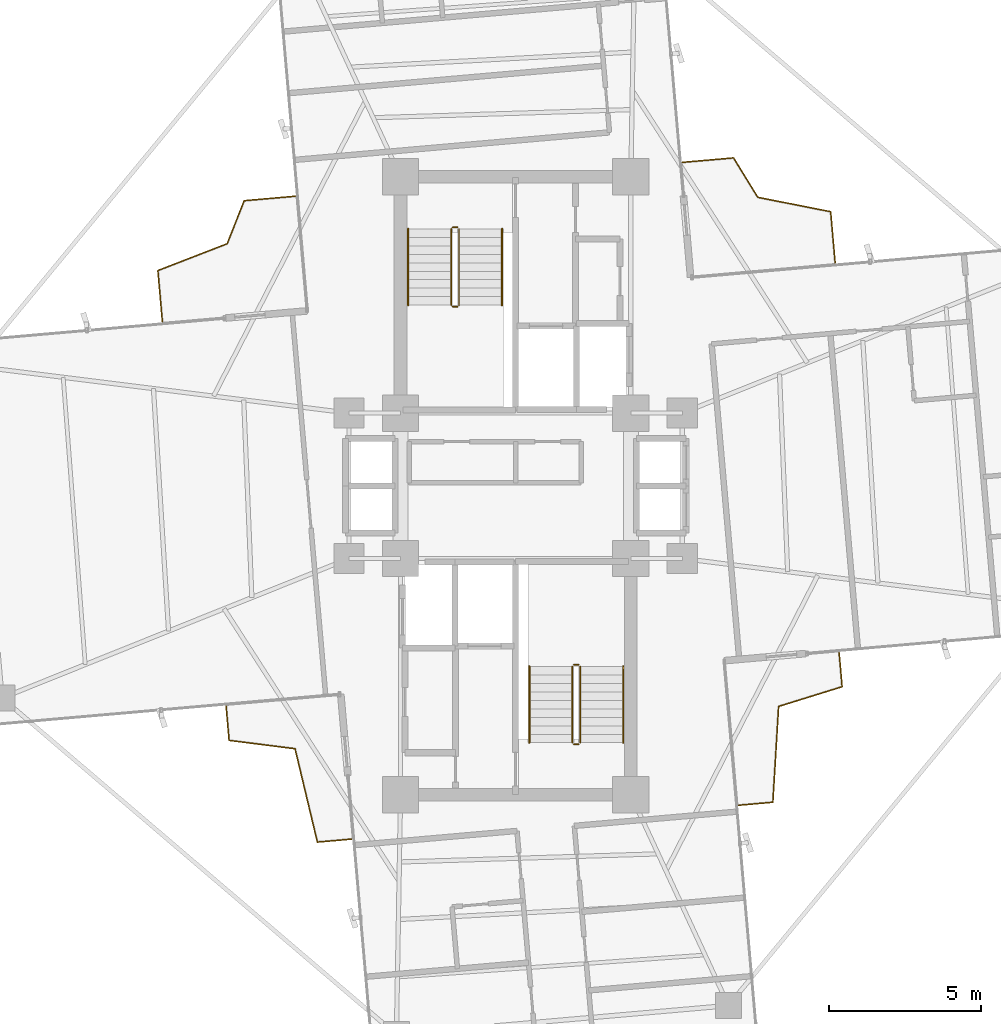
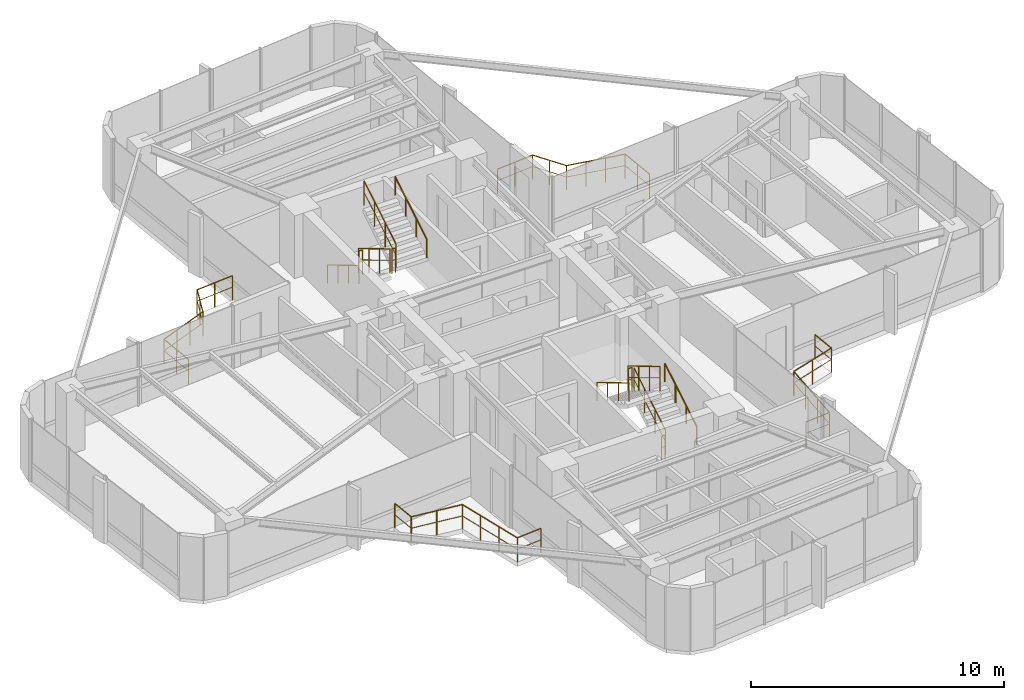
# One storey, part 24 of 24: 16 railings.
"""IFC4 building model written with IfcOpenShell, lengths in metres."""

import ifcopenshell
import ifcopenshell.guid

model = None  # the IFC model being written
_history = None  # IfcOwnerHistory: only IFC2X3 demands one
_inside = {}  # id of a spatial element -> (the spatial element, [elements in it])
_under = {}  # id of a project, library or spatial element -> (it, [spatial elements below it])
_declared = {}  # id of a project -> (the project, [libraries it declares])
_typed = {}  # id of a type object -> (the type object, [elements of that type])
_made_of = {}  # id of a material, layer set ... -> (it, [elements and type objects made of it])


def new_model(schema):
    """Start an empty IFC model of exactly this schema.

    Asked for "IFC4X3", IfcOpenShell would pick the latest addendum, in which some entities
    have other attributes; the version numbers below select the first issue.
    IFC2X3 requires an IfcOwnerHistory on every rooted entity: one is made here for all.
    """
    global model, _history
    if schema == "IFC4X3":
        model = ifcopenshell.file(schema_version=(4, 3, 0, 0))
    else:
        model = ifcopenshell.file(schema=schema)
    _inside.clear()
    _under.clear()
    _declared.clear()
    _typed.clear()
    _made_of.clear()
    _history = None
    if model.schema == "IFC2X3":
        org = make("IfcOrganization", Name="unknown")
        user = make(
            "IfcPersonAndOrganization",
            ThePerson=make("IfcPerson", FamilyName="unknown"),
            TheOrganization=org,
        )
        app = make(
            "IfcApplication",
            ApplicationDeveloper=org,
            Version="unknown",
            ApplicationFullName="unknown",
            ApplicationIdentifier="unknown",
        )
        _history = make(
            "IfcOwnerHistory",
            OwningUser=user,
            OwningApplication=app,
            ChangeAction="ADDED",
            CreationDate=0,
        )
    return model


def make(cls, **values):
    """One entity of the class cls with the attributes given. An attribute that is None is left unset."""
    return model.create_entity(
        cls, **{name: value for name, value in values.items() if value is not None}
    )


def rooted(cls, **values):
    """An entity with a GlobalId (a new one), such as an element, a storey or a relation."""
    return make(cls, GlobalId=ifcopenshell.guid.new(), OwnerHistory=_history, **values)


def si_unit(unit_type, name, prefix=None):
    """IfcSIUnit, for example si_unit("LENGTHUNIT", "METRE", prefix="MILLI")."""
    return make("IfcSIUnit", UnitType=unit_type, Prefix=prefix, Name=name)


def assignment(units):
    """IfcUnitAssignment: the units of a project."""
    return None if units is None else make("IfcUnitAssignment", Units=units)


def point(xyz):
    """IfcCartesianPoint."""
    return None if xyz is None else make("IfcCartesianPoint", Coordinates=xyz)


def direction(xyz):
    """IfcDirection."""
    return None if xyz is None else make("IfcDirection", DirectionRatios=xyz)


def frame(location, z_axis=None, x_axis=None):
    """IfcAxis2Placement3D, a coordinate frame: its origin and axes. An axis left out is left unset."""
    return make(
        "IfcAxis2Placement3D",
        Location=point(location),
        Axis=direction(z_axis),
        RefDirection=direction(x_axis),
    )


def frame_2d(location, x_axis=None):
    """IfcAxis2Placement2D, a coordinate frame in the plane: its origin and x axis."""
    return make(
        "IfcAxis2Placement2D", Location=point(location), RefDirection=direction(x_axis)
    )


def origin():
    """The frame at (0, 0, 0) with its axes left unset."""
    return frame((0.0, 0.0, 0.0))


def origin_2d():
    """The frame at (0, 0) in the plane with its x axis left unset."""
    return frame_2d((0.0, 0.0))


def place(relative_to, where):
    """IfcLocalPlacement: puts the frame where relative to a parent placement (None: the world)."""
    return make(
        "IfcLocalPlacement", PlacementRelTo=relative_to, RelativePlacement=where
    )


def context(
    kind, dimensions, precision=None, world=None, true_north=None, identifier=None
):
    """IfcGeometricRepresentationContext, for example the 3D "Model" context."""
    return make(
        "IfcGeometricRepresentationContext",
        ContextIdentifier=identifier,
        ContextType=kind,
        CoordinateSpaceDimension=dimensions,
        Precision=precision,
        WorldCoordinateSystem=world,
        TrueNorth=true_north,
    )


def subcontext(parent, identifier, kind, view, scale=None):
    """IfcGeometricRepresentationSubContext, for example "Body" below "Model"."""
    return make(
        "IfcGeometricRepresentationSubContext",
        ContextIdentifier=identifier,
        ContextType=kind,
        ParentContext=parent,
        TargetScale=scale,
        TargetView=view,
    )


def project(units=None, contexts=None):
    """IfcProject with its units and contexts."""
    return rooted(
        "IfcProject",
        Name="project",
        RepresentationContexts=contexts,
        UnitsInContext=assignment(units),
    )


def spatial(cls, under=None, at=None, **own):
    """A site, building, storey or space (cls), placed at a placement, below another one or the project."""
    s = rooted(cls, ObjectPlacement=at, **own)
    if under is not None:
        _under.setdefault(under.id(), (under, []))[1].append(s)
    return s


def profile(cls, at=None, kind="AREA", **sizes):
    """A parametric profile (cls). Its sizes go by their IFC names, for example OverallWidth=200.0."""
    return make(cls, ProfileType=kind, Position=at, **sizes)


def circle(**sizes):
    """IfcCircleProfileDef."""
    return profile("IfcCircleProfileDef", **sizes)


def extrude(swept, where, along, depth):
    """IfcExtrudedAreaSolid: the profile swept, set in the frame where, extruded along a direction by depth."""
    return make(
        "IfcExtrudedAreaSolid",
        SweptArea=swept,
        Position=where,
        ExtrudedDirection=direction(along),
        Depth=depth,
    )


def shape(context_of_items, identifier, shape_type, items):
    """IfcShapeRepresentation: the items that make up one representation, for example the "Body"."""
    return make(
        "IfcShapeRepresentation",
        ContextOfItems=context_of_items,
        RepresentationIdentifier=identifier,
        RepresentationType=shape_type,
        Items=items,
    )


def material(Name=None, Category=None):
    """IfcMaterial."""
    return make("IfcMaterial", Name=Name, Category=Category)


def made_of(thing, what):
    """Note that an element or type object is made of a material, layer set ...; save() writes the relation."""
    if what is not None:
        _made_of.setdefault(what.id(), (what, []))[1].append(thing)
    return thing


def type_object(cls, material=None, **own):
    """A type object (cls), such as IfcWallType, which elements share."""
    return made_of(rooted(cls, **own), material)


def element(
    cls,
    number,
    at=None,
    inside=None,
    cuts=None,
    type_object=None,
    material=None,
    context=None,
    identifier="Body",
    shape_type=None,
    held_by="IfcProductDefinitionShape",
    body=None,
    shapes=None,
    **own,
):
    """One element of the class cls, such as IfcWall. Its Tag is "e" and its number.

    at: its placement. inside: the storey or other place that contains it. cuts: it is an
    opening in that element (IfcRelVoidsElement). A single representation is given by context,
    identifier, shape_type and body (its items); several are given by shapes. held_by: the class
    of the entity that holds the representations. save() writes the other relations.
    """
    e = rooted(cls, Tag="e%d" % number, ObjectPlacement=at, **own)
    if body is not None:
        shapes = [shape(context, identifier, shape_type, body)]
    if shapes is not None:
        e.Representation = make(held_by, Representations=shapes)
    if inside is not None:
        _inside.setdefault(inside.id(), (inside, []))[1].append(e)
    if cuts is not None:
        rooted(
            "IfcRelVoidsElement", RelatingBuildingElement=cuts, RelatedOpeningElement=e
        )
    if type_object is not None:
        _typed.setdefault(type_object.id(), (type_object, []))[1].append(e)
    return made_of(e, material)


def aggregate(whole, parts):
    """IfcRelAggregates: a whole, such as a stair, and the parts it consists of."""
    return rooted("IfcRelAggregates", RelatingObject=whole, RelatedObjects=parts)


def save(model, path):
    """Write the relations noted so far, then the file.

    IfcRelAggregates (storeys below a building ...), IfcRelContainedInSpatialStructure (elements
    in a storey), IfcRelDefinesByType, IfcRelAssociatesMaterial and IfcRelDeclares: one each for
    every whole, place, type object, material and project.
    """
    for whole, parts in _under.values():
        aggregate(whole, parts)
    for where, things in _inside.values():
        rooted(
            "IfcRelContainedInSpatialStructure",
            RelatedElements=things,
            RelatingStructure=where,
        )
    for kind, things in _typed.values():
        rooted("IfcRelDefinesByType", RelatedObjects=things, RelatingType=kind)
    for what, things in _made_of.values():
        rooted("IfcRelAssociatesMaterial", RelatedObjects=things, RelatingMaterial=what)
    for by, libraries in _declared.values():
        rooted("IfcRelDeclares", RelatingContext=by, RelatedDefinitions=libraries)
    model.write(path)


model = new_model("IFC4")

# Units and contexts
model_context = context("Model", 3, precision=1e-05, world=origin(), true_north=direction((0.0, 1.0)))
body_context = subcontext(model_context, "Body", "Model", "MODEL_VIEW")
ifc_project = project(units=[si_unit("LENGTHUNIT", "METRE"), si_unit("AREAUNIT", "SQUARE_METRE"), si_unit("VOLUMEUNIT", "CUBIC_METRE"), si_unit("PLANEANGLEUNIT", "RADIAN"), si_unit("MASSUNIT", "GRAM", prefix="KILO")], contexts=[model_context])

# Site, building, storey
site_placement = place(None, origin())
site = spatial("IfcSite", under=ifc_project, at=site_placement, CompositionType="ELEMENT")
building_placement = place(site_placement, origin())
building = spatial("IfcBuilding", under=site, at=building_placement, Name="Sahyath Konkavel Grand Hotel", CompositionType="ELEMENT")
storey_placement = place(building_placement, frame((0.0, 0.0, 198.64990234375)))
storey = spatial("IfcBuildingStorey", under=building, at=storey_placement, Name="L55", CompositionType="ELEMENT", Elevation=198.64990234375)

# Railings
ifc_material_1 = material(Name="Anodised Bronze Aluminium", Category="aluminium")
railing_type_1 = type_object("IfcRailingType", Name="RLG-BALC-1200", PredefinedType="GUARDRAIL", material=ifc_material_1)
railing_1_placement = place(storey_placement, frame((10.5439453125, 7.35693359375, 0.0)))
element("IfcRailing", 1, at=railing_1_placement, inside=storey, type_object=railing_type_1, Name="L55 Winter-Garden Guard NE", PredefinedType="GUARDRAIL", context=body_context, shape_type="SweptSolid", body=[
    extrude(circle(Radius=0.02392578125, at=origin_2d()), frame((-0.000244140625, 0.001953125, 1.17578125), z_axis=(-0.087225873047, 0.996188559998, 0.0), x_axis=(-0.996188559998, -0.087225873047, 0.0)), (0.0, 0.0, 1.0), 1.692138671875),
    extrude(circle(Radius=0.01416015625, at=origin_2d()), frame((-0.000244140625, 0.001953125, 0.6240234375), z_axis=(-0.087225873047, 0.996188559998, 0.0), x_axis=(-0.996188559998, -0.087225873047, 0.0)), (0.0, 0.0, 1.0), 1.692138671875),
    extrude(circle(Radius=0.02392578125, at=origin_2d()), frame((-0.14990234375, 1.690185546875, 1.17578125), z_axis=(-0.981082734846, 0.193588913389, 0.0), x_axis=(-0.193588913389, -0.981082734846, 0.0)), (0.0, 0.0, 1.0), 2.448974609375),
    extrude(circle(Radius=0.01416015625, at=origin_2d()), frame((-0.14990234375, 1.690185546875, 0.6240234375), z_axis=(-0.981082734846, 0.193588913389, 0.0), x_axis=(-0.193588913389, -0.981082734846, 0.0)), (0.0, 0.0, 1.0), 2.448974609375),
    extrude(circle(Radius=0.02392578125, at=origin_2d()), frame((-2.555419921875, 2.166259765625, 1.17578125), z_axis=(-0.523401524615, 0.852086171716, 0.0), x_axis=(-0.852086171716, -0.523401524615, 0.0)), (0.0, 0.0, 1.0), 1.523193359375),
    extrude(circle(Radius=0.01416015625, at=origin_2d()), frame((-2.555419921875, 2.166259765625, 0.6240234375), z_axis=(-0.523401524615, 0.852086171716, 0.0), x_axis=(-0.852086171716, -0.523401524615, 0.0)), (0.0, 0.0, 1.0), 1.523193359375),
    extrude(circle(Radius=0.02392578125, at=origin_2d()), frame((-3.355712890625, 3.465576171875, 1.17578125), z_axis=(-0.996201057099, -0.087083028398, 0.0), x_axis=(0.087083028398, -0.996201057099, 0.0)), (0.0, 0.0, 1.0), 1.692138671875),
    extrude(circle(Radius=0.01416015625, at=origin_2d()), frame((-3.355712890625, 3.465576171875, 0.6240234375), z_axis=(-0.996201057099, -0.087083028398, 0.0), x_axis=(0.087083028398, -0.996201057099, 0.0)), (0.0, 0.0, 1.0), 1.692138671875),
    extrude(circle(Radius=0.02099609375, at=origin_2d()), origin(), (0.0, 0.0, 1.0), 1.15185546875),
    extrude(circle(Radius=0.02099609375, at=origin_2d()), frame((-0.073974609375, 0.8447265625, 0.0)), (0.0, 0.0, 1.0), 1.15185546875),
    extrude(circle(Radius=0.02099609375, at=origin_2d()), frame((-0.14794921875, 1.689697265625, 0.0)), (0.0, 0.0, 1.0), 1.15185546875),
    extrude(circle(Radius=0.02099609375, at=origin_2d()), frame((-0.9501953125, 1.847900390625, 0.0)), (0.0, 0.0, 1.0), 1.15185546875),
    extrude(circle(Radius=0.02099609375, at=origin_2d()), frame((-1.752197265625, 2.00634765625, 0.0)), (0.0, 0.0, 1.0), 1.15185546875),
    extrude(circle(Radius=0.02099609375, at=origin_2d()), frame((-2.554443359375, 2.16455078125, 0.0)), (0.0, 0.0, 1.0), 1.15185546875),
    extrude(circle(Radius=0.02099609375, at=origin_2d()), frame((-2.9541015625, 2.815185546875, 0.0)), (0.0, 0.0, 1.0), 1.15185546875),
    extrude(circle(Radius=0.02099609375, at=origin_2d()), frame((-3.353759765625, 3.4658203125, 0.0)), (0.0, 0.0, 1.0), 1.15185546875),
    extrude(circle(Radius=0.02099609375, at=origin_2d()), frame((-4.19873046875, 3.39208984375, 0.0)), (0.0, 0.0, 1.0), 1.15185546875),
    extrude(circle(Radius=0.02099609375, at=origin_2d()), frame((-5.04345703125, 3.318115234375, 0.0)), (0.0, 0.0, 1.0), 1.15185546875),
])
railing_2_placement = place(storey_placement, frame((-7.270751953125, 9.5576171875, 0.0)))
element("IfcRailing", 2, at=railing_2_placement, inside=storey, type_object=railing_type_1, Name="L55 Winter-Garden Guard NW", PredefinedType="GUARDRAIL", context=body_context, shape_type="SweptSolid", body=[
    extrude(circle(Radius=0.02392578125, at=origin_2d()), frame((-0.001953125, -0.000244140625, 1.17578125), z_axis=(-0.99619996531, -0.087095517198, 0.0), x_axis=(0.087095517198, -0.99619996531, 0.0)), (0.0, 0.0, 1.0), 1.69189453125),
    extrude(circle(Radius=0.01416015625, at=origin_2d()), frame((-0.001953125, -0.000244140625, 0.6240234375), z_axis=(-0.99619996531, -0.087095517198, 0.0), x_axis=(0.087095517198, -0.99619996531, 0.0)), (0.0, 0.0, 1.0), 1.69189453125),
    extrude(circle(Radius=0.02392578125, at=origin_2d()), frame((-1.690185546875, -0.149658203125, 1.17578125), z_axis=(-0.367501349189, -0.930022988073, 0.0), x_axis=(0.930022988073, -0.367501349189, 0.0)), (0.0, 0.0, 1.0), 1.523193359375),
    extrude(circle(Radius=0.01416015625, at=origin_2d()), frame((-1.690185546875, -0.149658203125, 0.6240234375), z_axis=(-0.367501349189, -0.930022988073, 0.0), x_axis=(0.930022988073, -0.367501349189, 0.0)), (0.0, 0.0, 1.0), 1.523193359375),
    extrude(circle(Radius=0.02392578125, at=origin_2d()), frame((-2.252685546875, -1.56884765625, 1.17578125), z_axis=(-0.932571340757, -0.360985726033, 0.0), x_axis=(0.360985726033, -0.932571340757, 0.0)), (0.0, 0.0, 1.0), 2.448974609375),
    extrude(circle(Radius=0.01416015625, at=origin_2d()), frame((-2.252685546875, -1.56884765625, 0.6240234375), z_axis=(-0.932571340757, -0.360985726033, 0.0), x_axis=(0.360985726033, -0.932571340757, 0.0)), (0.0, 0.0, 1.0), 2.448974609375),
    extrude(circle(Radius=0.02392578125, at=origin_2d()), frame((-4.5380859375, -2.45556640625, 1.17578125), z_axis=(0.087225873047, -0.996188559998, 0.0), x_axis=(0.996188559998, 0.087225873047, 0.0)), (0.0, 0.0, 1.0), 1.692138671875),
    extrude(circle(Radius=0.01416015625, at=origin_2d()), frame((-4.5380859375, -2.45556640625, 0.6240234375), z_axis=(0.087225873047, -0.996188559998, 0.0), x_axis=(0.996188559998, 0.087225873047, 0.0)), (0.0, 0.0, 1.0), 1.692138671875),
    extrude(circle(Radius=0.02099609375, at=origin_2d()), origin(), (0.0, 0.0, 1.0), 1.15185546875),
    extrude(circle(Radius=0.02099609375, at=origin_2d()), frame((-0.8447265625, -0.07373046875, 0.0)), (0.0, 0.0, 1.0), 1.15185546875),
    extrude(circle(Radius=0.02099609375, at=origin_2d()), frame((-1.689453125, -0.147705078125, 0.0)), (0.0, 0.0, 1.0), 1.15185546875),
    extrude(circle(Radius=0.02099609375, at=origin_2d()), frame((-1.97021484375, -0.85791015625, 0.0)), (0.0, 0.0, 1.0), 1.15185546875),
    extrude(circle(Radius=0.02099609375, at=origin_2d()), frame((-2.250732421875, -1.568115234375, 0.0)), (0.0, 0.0, 1.0), 1.15185546875),
    extrude(circle(Radius=0.02099609375, at=origin_2d()), frame((-3.01318359375, -1.86328125, 0.0)), (0.0, 0.0, 1.0), 1.15185546875),
    extrude(circle(Radius=0.02099609375, at=origin_2d()), frame((-3.77587890625, -2.158447265625, 0.0)), (0.0, 0.0, 1.0), 1.15185546875),
    extrude(circle(Radius=0.02099609375, at=origin_2d()), frame((-4.538330078125, -2.45361328125, 0.0)), (0.0, 0.0, 1.0), 1.15185546875),
    extrude(circle(Radius=0.02099609375, at=origin_2d()), frame((-4.46435546875, -3.29833984375, 0.0)), (0.0, 0.0, 1.0), 1.15185546875),
    extrude(circle(Radius=0.02099609375, at=origin_2d()), frame((-4.390380859375, -4.143310546875, 0.0)), (0.0, 0.0, 1.0), 1.15185546875),
])
railing_3_placement = place(storey_placement, frame((-9.5576171875, -7.270751953125, 0.0)))
element("IfcRailing", 3, at=railing_3_placement, inside=storey, type_object=railing_type_1, Name="L55 Winter-Garden Guard SW", PredefinedType="GUARDRAIL", context=body_context, shape_type="SweptSolid", body=[
    extrude(circle(Radius=0.02392578125, at=origin_2d()), frame((0.000244140625, -0.001953125, 1.17578125), z_axis=(0.087046969676, -0.996204208519, 0.0), x_axis=(0.996204208519, 0.087046969676, 0.0)), (0.0, 0.0, 1.0), 1.1318359375),
    extrude(circle(Radius=0.01416015625, at=origin_2d()), frame((0.000244140625, -0.001953125, 0.6240234375), z_axis=(0.087046969676, -0.996204208519, 0.0), x_axis=(0.996204208519, 0.087046969676, 0.0)), (0.0, 0.0, 1.0), 1.1318359375),
    extrude(circle(Radius=0.02392578125, at=origin_2d()), frame((0.100830078125, -1.1318359375, 1.17578125), z_axis=(0.992034612128, -0.125965583952, 0.0), x_axis=(0.125965583952, 0.992034612128, 0.0)), (0.0, 0.0, 1.0), 2.18994140625),
    extrude(circle(Radius=0.01416015625, at=origin_2d()), frame((0.100830078125, -1.1318359375, 0.6240234375), z_axis=(0.992034612128, -0.125965583952, 0.0), x_axis=(0.125965583952, 0.992034612128, 0.0)), (0.0, 0.0, 1.0), 2.18994140625),
    extrude(circle(Radius=0.02392578125, at=origin_2d()), frame((2.27587890625, -1.409912109375, 1.17578125), z_axis=(0.232405247263, -0.972619042094, 0.0), x_axis=(0.972619042094, 0.232405247263, 0.0)), (0.0, 0.0, 1.0), 3.164306640625),
    extrude(circle(Radius=0.01416015625, at=origin_2d()), frame((2.27587890625, -1.409912109375, 0.6240234375), z_axis=(0.232405247263, -0.972619042094, 0.0), x_axis=(0.972619042094, 0.232405247263, 0.0)), (0.0, 0.0, 1.0), 3.164306640625),
    extrude(circle(Radius=0.02392578125, at=origin_2d()), frame((3.013671875, -4.4892578125, 1.17578125), z_axis=(0.996185547975, 0.087260265907, 0.0), x_axis=(-0.087260265907, 0.996185547975, 0.0)), (0.0, 0.0, 1.0), 1.1318359375),
    extrude(circle(Radius=0.01416015625, at=origin_2d()), frame((3.013671875, -4.4892578125, 0.6240234375), z_axis=(0.996185547975, 0.087260265907, 0.0), x_axis=(-0.087260265907, 0.996185547975, 0.0)), (0.0, 0.0, 1.0), 1.1318359375),
    extrude(circle(Radius=0.02099609375, at=origin_2d()), origin(), (0.0, 0.0, 1.0), 1.15185546875),
    extrude(circle(Radius=0.02099609375, at=origin_2d()), frame((0.098876953125, -1.131591796875, 0.0)), (0.0, 0.0, 1.0), 1.15185546875),
    extrude(circle(Radius=0.02099609375, at=origin_2d()), frame((1.18701171875, -1.269775390625, 0.0)), (0.0, 0.0, 1.0), 1.15185546875),
    extrude(circle(Radius=0.02099609375, at=origin_2d()), frame((2.275390625, -1.407958984375, 0.0)), (0.0, 0.0, 1.0), 1.15185546875),
    extrude(circle(Radius=0.02099609375, at=origin_2d()), frame((2.520751953125, -2.43505859375, 0.0)), (0.0, 0.0, 1.0), 1.15185546875),
    extrude(circle(Radius=0.02099609375, at=origin_2d()), frame((2.766357421875, -3.46240234375, 0.0)), (0.0, 0.0, 1.0), 1.15185546875),
    extrude(circle(Radius=0.02099609375, at=origin_2d()), frame((3.01171875, -4.489501953125, 0.0)), (0.0, 0.0, 1.0), 1.15185546875),
    extrude(circle(Radius=0.02099609375, at=origin_2d()), frame((4.143310546875, -4.390380859375, 0.0)), (0.0, 0.0, 1.0), 1.15185546875),
])
railing_4_placement = place(storey_placement, frame((7.35693359375, -10.5439453125, 0.0)))
element("IfcRailing", 4, at=railing_4_placement, inside=storey, type_object=railing_type_1, Name="L55 Winter-Garden Guard SE", PredefinedType="GUARDRAIL", context=body_context, shape_type="SweptSolid", body=[
    extrude(circle(Radius=0.02392578125, at=origin_2d()), frame((0.001953125, 0.000244140625, 1.17578125), z_axis=(0.996185547975, 0.087260265907, 0.0), x_axis=(-0.087260265907, 0.996185547975, 0.0)), (0.0, 0.0, 1.0), 1.1318359375),
    extrude(circle(Radius=0.01416015625, at=origin_2d()), frame((0.001953125, 0.000244140625, 0.6240234375), z_axis=(0.996185547975, 0.087260265907, 0.0), x_axis=(-0.087260265907, 0.996185547975, 0.0)), (0.0, 0.0, 1.0), 1.1318359375),
    extrude(circle(Radius=0.02392578125, at=origin_2d()), frame((1.131591796875, 0.10107421875, 1.17578125), z_axis=(0.060027424065, 0.998196728286, 0.0), x_axis=(-0.998196728286, 0.060027424065, 0.0)), (0.0, 0.0, 1.0), 3.164306640625),
    extrude(circle(Radius=0.01416015625, at=origin_2d()), frame((1.131591796875, 0.10107421875, 0.6240234375), z_axis=(0.060027424065, 0.998196728286, 0.0), x_axis=(-0.998196728286, 0.060027424065, 0.0)), (0.0, 0.0, 1.0), 3.164306640625),
    extrude(circle(Radius=0.02392578125, at=origin_2d()), frame((1.32373046875, 3.26220703125, 1.17578125), z_axis=(0.955076085645, 0.296360710332, 0.0), x_axis=(-0.296360710332, 0.955076085645, 0.0)), (0.0, 0.0, 1.0), 2.189697265625),
    extrude(circle(Radius=0.01416015625, at=origin_2d()), frame((1.32373046875, 3.26220703125, 0.6240234375), z_axis=(0.955076085645, 0.296360710332, 0.0), x_axis=(-0.296360710332, 0.955076085645, 0.0)), (0.0, 0.0, 1.0), 2.189697265625),
    extrude(circle(Radius=0.02392578125, at=origin_2d()), frame((3.416748046875, 3.913818359375, 1.17578125), z_axis=(-0.087046969676, 0.996204208519, 0.0), x_axis=(-0.996204208519, -0.087046969676, 0.0)), (0.0, 0.0, 1.0), 1.1318359375),
    extrude(circle(Radius=0.01416015625, at=origin_2d()), frame((3.416748046875, 3.913818359375, 0.6240234375), z_axis=(-0.087046969676, 0.996204208519, 0.0), x_axis=(-0.996204208519, -0.087046969676, 0.0)), (0.0, 0.0, 1.0), 1.1318359375),
    extrude(circle(Radius=0.02099609375, at=origin_2d()), origin(), (0.0, 0.0, 1.0), 1.15185546875),
    extrude(circle(Radius=0.02099609375, at=origin_2d()), frame((1.131591796875, 0.09912109375, 0.0)), (0.0, 0.0, 1.0), 1.15185546875),
    extrude(circle(Radius=0.02099609375, at=origin_2d()), frame((1.195068359375, 1.1533203125, 0.0)), (0.0, 0.0, 1.0), 1.15185546875),
    extrude(circle(Radius=0.02099609375, at=origin_2d()), frame((1.25830078125, 2.20751953125, 0.0)), (0.0, 0.0, 1.0), 1.15185546875),
    extrude(circle(Radius=0.02099609375, at=origin_2d()), frame((1.32177734375, 3.26171875, 0.0)), (0.0, 0.0, 1.0), 1.15185546875),
    extrude(circle(Radius=0.02099609375, at=origin_2d()), frame((2.369384765625, 3.5869140625, 0.0)), (0.0, 0.0, 1.0), 1.15185546875),
    extrude(circle(Radius=0.02099609375, at=origin_2d()), frame((3.4169921875, 3.911865234375, 0.0)), (0.0, 0.0, 1.0), 1.15185546875),
    extrude(circle(Radius=0.02099609375, at=origin_2d()), frame((3.318115234375, 5.04345703125, 0.0)), (0.0, 0.0, 1.0), 1.15185546875),
])
ifc_material_2 = material(Name="Steel E350", Category="steel")
railing_type_2 = type_object("IfcRailingType", Name="RLG-STAIR-GRD", PredefinedType="GUARDRAIL", material=ifc_material_2)
railing_5_placement = place(storey_placement, frame((-2.1298828125, 8.47998046875, 0.16748046875)))
element("IfcRailing", 5, at=railing_5_placement, inside=storey, type_object=railing_type_2, Name="L55 ST-1 stair guard 1", PredefinedType="GUARDRAIL", context=body_context, shape_type="SweptSolid", body=[
    extrude(circle(Radius=0.02392578125, at=origin_2d()), frame((0.0, -0.001708984375, 1.177001953125), z_axis=(0.0, -0.858159760407, 0.513382728203), x_axis=(1.0, 0.0, 0.0)), (0.0, 0.0, 1.0), 2.9326171875),
    extrude(circle(Radius=0.01416015625, at=origin_2d()), frame((0.0, -0.001708984375, 0.625), z_axis=(0.0, -0.858159760407, 0.513382728203), x_axis=(1.0, 0.0, 0.0)), (0.0, 0.0, 1.0), 2.9326171875),
    extrude(circle(Radius=0.02099609375, at=origin_2d()), origin(), (0.0, 0.0, 1.0), 1.15185546875),
    extrude(circle(Radius=0.02099609375, at=origin_2d()), frame((0.0, -0.840087890625, 0.50244140625)), (0.0, 0.0, 1.0), 1.15185546875),
    extrude(circle(Radius=0.02099609375, at=origin_2d()), frame((0.0, -1.679931640625, 1.005126953125)), (0.0, 0.0, 1.0), 1.15185546875),
    extrude(circle(Radius=0.02099609375, at=origin_2d()), frame((0.0, -2.52001953125, 1.507568359375)), (0.0, 0.0, 1.0), 1.15185546875),
])
railing_6_placement = place(storey_placement, frame((-2.080078125, 5.909912109375, 1.675048828125)))
element("IfcRailing", 6, at=railing_6_placement, inside=storey, type_object=railing_type_2, Name="L55 ST-1 stair guard 2", PredefinedType="GUARDRAIL", context=body_context, shape_type="SweptSolid", body=[
    extrude(circle(Radius=0.02392578125, at=origin_2d()), frame((0.001953125, 0.0, 1.17578125), z_axis=(1.0, 0.0, 0.0), x_axis=(0.0, 1.0, 0.0)), (0.0, 0.0, 1.0), 0.15625),
    extrude(circle(Radius=0.01416015625, at=origin_2d()), frame((0.001953125, 0.0, 0.6240234375), z_axis=(1.0, 0.0, 0.0), x_axis=(0.0, 1.0, 0.0)), (0.0, 0.0, 1.0), 0.15625),
    extrude(circle(Radius=0.02099609375, at=origin_2d()), origin(), (0.0, 0.0, 1.0), 1.15185546875),
    extrude(circle(Radius=0.02099609375, at=origin_2d()), frame((0.16015625, 0.0, 0.0)), (0.0, 0.0, 1.0), 1.15185546875),
])
railing_7_placement = place(storey_placement, frame((-1.8701171875, 5.9599609375, 1.842529296875)))
element("IfcRailing", 7, at=railing_7_placement, inside=storey, type_object=railing_type_2, Name="L55 ST-1 stair guard 3", PredefinedType="GUARDRAIL", context=body_context, shape_type="SweptSolid", body=[
    extrude(circle(Radius=0.02392578125, at=origin_2d()), frame((0.0, 0.001708984375, 1.177001953125), z_axis=(0.0, 0.858159760407, 0.513382728203), x_axis=(-1.0, 0.0, 0.0)), (0.0, 0.0, 1.0), 2.9326171875),
    extrude(circle(Radius=0.01416015625, at=origin_2d()), frame((0.0, 0.001708984375, 0.625), z_axis=(0.0, 0.858159760407, 0.513382728203), x_axis=(-1.0, 0.0, 0.0)), (0.0, 0.0, 1.0), 2.9326171875),
    extrude(circle(Radius=0.02099609375, at=origin_2d()), origin(), (0.0, 0.0, 1.0), 1.15185546875),
    extrude(circle(Radius=0.02099609375, at=origin_2d()), frame((0.0, 0.840087890625, 0.50244140625)), (0.0, 0.0, 1.0), 1.15185546875),
    extrude(circle(Radius=0.02099609375, at=origin_2d()), frame((0.0, 1.679931640625, 1.005126953125)), (0.0, 0.0, 1.0), 1.15185546875),
    extrude(circle(Radius=0.02099609375, at=origin_2d()), frame((0.0, 2.52001953125, 1.507568359375)), (0.0, 0.0, 1.0), 1.15185546875),
])
railing_8_placement = place(storey_placement, frame((-2.080078125, 8.530029296875, 0.0)))
element("IfcRailing", 8, at=railing_8_placement, inside=storey, type_object=railing_type_2, Name="L55 ST-1 stair guard 4", PredefinedType="GUARDRAIL", context=body_context, shape_type="SweptSolid", body=[
    extrude(circle(Radius=0.02392578125, at=origin_2d()), frame((0.001953125, 0.0, 1.17578125), z_axis=(1.0, 0.0, 0.0), x_axis=(0.0, 1.0, 0.0)), (0.0, 0.0, 1.0), 0.15625),
    extrude(circle(Radius=0.01416015625, at=origin_2d()), frame((0.001953125, 0.0, 0.6240234375), z_axis=(1.0, 0.0, 0.0), x_axis=(0.0, 1.0, 0.0)), (0.0, 0.0, 1.0), 0.15625),
    extrude(circle(Radius=0.02099609375, at=origin_2d()), origin(), (0.0, 0.0, 1.0), 1.15185546875),
    extrude(circle(Radius=0.02099609375, at=origin_2d()), frame((0.16015625, 0.0, 0.0)), (0.0, 0.0, 1.0), 1.15185546875),
])
railing_9_placement = place(storey_placement, frame((2.1298828125, -8.47998046875, 0.16748046875)))
element("IfcRailing", 9, at=railing_9_placement, inside=storey, type_object=railing_type_2, Name="L55 ST-2 stair guard 1", PredefinedType="GUARDRAIL", context=body_context, shape_type="SweptSolid", body=[
    extrude(circle(Radius=0.02392578125, at=origin_2d()), frame((0.0, 0.001708984375, 1.177001953125), z_axis=(0.0, 0.858159760407, 0.513382728203), x_axis=(-1.0, 0.0, 0.0)), (0.0, 0.0, 1.0), 2.9326171875),
    extrude(circle(Radius=0.01416015625, at=origin_2d()), frame((0.0, 0.001708984375, 0.625), z_axis=(0.0, 0.858159760407, 0.513382728203), x_axis=(-1.0, 0.0, 0.0)), (0.0, 0.0, 1.0), 2.9326171875),
    extrude(circle(Radius=0.02099609375, at=origin_2d()), origin(), (0.0, 0.0, 1.0), 1.15185546875),
    extrude(circle(Radius=0.02099609375, at=origin_2d()), frame((0.0, 0.840087890625, 0.50244140625)), (0.0, 0.0, 1.0), 1.15185546875),
    extrude(circle(Radius=0.02099609375, at=origin_2d()), frame((0.0, 1.679931640625, 1.005126953125)), (0.0, 0.0, 1.0), 1.15185546875),
    extrude(circle(Radius=0.02099609375, at=origin_2d()), frame((0.0, 2.52001953125, 1.507568359375)), (0.0, 0.0, 1.0), 1.15185546875),
])
railing_10_placement = place(storey_placement, frame((2.080078125, -5.909912109375, 1.675048828125)))
element("IfcRailing", 10, at=railing_10_placement, inside=storey, type_object=railing_type_2, Name="L55 ST-2 stair guard 2", PredefinedType="GUARDRAIL", context=body_context, shape_type="SweptSolid", body=[
    extrude(circle(Radius=0.02392578125, at=origin_2d()), frame((-0.001953125, 0.0, 1.17578125), z_axis=(-1.0, 0.0, 0.0), x_axis=(0.0, -1.0, 0.0)), (0.0, 0.0, 1.0), 0.15625),
    extrude(circle(Radius=0.01416015625, at=origin_2d()), frame((-0.001953125, 0.0, 0.6240234375), z_axis=(-1.0, 0.0, 0.0), x_axis=(0.0, -1.0, 0.0)), (0.0, 0.0, 1.0), 0.15625),
    extrude(circle(Radius=0.02099609375, at=origin_2d()), origin(), (0.0, 0.0, 1.0), 1.15185546875),
    extrude(circle(Radius=0.02099609375, at=origin_2d()), frame((-0.16015625, 0.0, 0.0)), (0.0, 0.0, 1.0), 1.15185546875),
])
railing_11_placement = place(storey_placement, frame((1.8701171875, -5.9599609375, 1.842529296875)))
element("IfcRailing", 11, at=railing_11_placement, inside=storey, type_object=railing_type_2, Name="L55 ST-2 stair guard 3", PredefinedType="GUARDRAIL", context=body_context, shape_type="SweptSolid", body=[
    extrude(circle(Radius=0.02392578125, at=origin_2d()), frame((0.0, -0.001708984375, 1.177001953125), z_axis=(0.0, -0.858159760407, 0.513382728203), x_axis=(1.0, 0.0, 0.0)), (0.0, 0.0, 1.0), 2.9326171875),
    extrude(circle(Radius=0.01416015625, at=origin_2d()), frame((0.0, -0.001708984375, 0.625), z_axis=(0.0, -0.858159760407, 0.513382728203), x_axis=(1.0, 0.0, 0.0)), (0.0, 0.0, 1.0), 2.9326171875),
    extrude(circle(Radius=0.02099609375, at=origin_2d()), origin(), (0.0, 0.0, 1.0), 1.15185546875),
    extrude(circle(Radius=0.02099609375, at=origin_2d()), frame((0.0, -0.840087890625, 0.50244140625)), (0.0, 0.0, 1.0), 1.15185546875),
    extrude(circle(Radius=0.02099609375, at=origin_2d()), frame((0.0, -1.679931640625, 1.005126953125)), (0.0, 0.0, 1.0), 1.15185546875),
    extrude(circle(Radius=0.02099609375, at=origin_2d()), frame((0.0, -2.52001953125, 1.507568359375)), (0.0, 0.0, 1.0), 1.15185546875),
])
railing_12_placement = place(storey_placement, frame((2.080078125, -8.530029296875, 0.0)))
element("IfcRailing", 12, at=railing_12_placement, inside=storey, type_object=railing_type_2, Name="L55 ST-2 stair guard 4", PredefinedType="GUARDRAIL", context=body_context, shape_type="SweptSolid", body=[
    extrude(circle(Radius=0.02392578125, at=origin_2d()), frame((-0.001953125, 0.0, 1.17578125), z_axis=(-1.0, 0.0, 0.0), x_axis=(0.0, -1.0, 0.0)), (0.0, 0.0, 1.0), 0.15625),
    extrude(circle(Radius=0.01416015625, at=origin_2d()), frame((-0.001953125, 0.0, 0.6240234375), z_axis=(-1.0, 0.0, 0.0), x_axis=(0.0, -1.0, 0.0)), (0.0, 0.0, 1.0), 0.15625),
    extrude(circle(Radius=0.02099609375, at=origin_2d()), origin(), (0.0, 0.0, 1.0), 1.15185546875),
    extrude(circle(Radius=0.02099609375, at=origin_2d()), frame((-0.16015625, 0.0, 0.0)), (0.0, 0.0, 1.0), 1.15185546875),
])
railing_type_3 = type_object("IfcRailingType", Name="RLG-STAIR-HND", PredefinedType="HANDRAIL", material=ifc_material_1)
railing_13_placement = place(storey_placement, frame((-3.550048828125, 8.47998046875, 0.16748046875)))
element("IfcRailing", 13, at=railing_13_placement, inside=storey, type_object=railing_type_3, Name="L55 ST-1 stair handrail 1", PredefinedType="HANDRAIL", context=body_context, shape_type="SweptSolid", body=[
    extrude(circle(Radius=0.02392578125, at=origin_2d()), frame((0.0, -0.001708984375, 0.876953125), z_axis=(0.0, -0.858159760407, 0.513382728203), x_axis=(1.0, 0.0, 0.0)), (0.0, 0.0, 1.0), 2.9326171875),
    extrude(circle(Radius=0.02099609375, at=origin_2d()), origin(), (0.0, 0.0, 1.0), 0.851806640625),
    extrude(circle(Radius=0.02099609375, at=origin_2d()), frame((0.0, -0.840087890625, 0.50244140625)), (0.0, 0.0, 1.0), 0.851806640625),
    extrude(circle(Radius=0.02099609375, at=origin_2d()), frame((0.0, -1.679931640625, 1.005126953125)), (0.0, 0.0, 1.0), 0.851806640625),
    extrude(circle(Radius=0.02099609375, at=origin_2d()), frame((0.0, -2.52001953125, 1.507568359375)), (0.0, 0.0, 1.0), 0.851806640625),
])
for number, where, name in (
    (14, (-0.449951171875, 5.9599609375, 1.842529296875), "L55 ST-1 stair handrail 2"),
    (15, (3.550048828125, -8.47998046875, 0.16748046875), "L55 ST-2 stair handrail 1"),
):
    element("IfcRailing", number, at=place(storey_placement, frame(where)), inside=storey, type_object=railing_type_3, Name=name, PredefinedType="HANDRAIL", context=body_context, shape_type="SweptSolid", body=[
        extrude(circle(Radius=0.02392578125, at=origin_2d()), frame((0.0, 0.001708984375, 0.876953125), z_axis=(0.0, 0.858159760407, 0.513382728203), x_axis=(-1.0, 0.0, 0.0)), (0.0, 0.0, 1.0), 2.9326171875),
        extrude(circle(Radius=0.02099609375, at=origin_2d()), origin(), (0.0, 0.0, 1.0), 0.851806640625),
        extrude(circle(Radius=0.02099609375, at=origin_2d()), frame((0.0, 0.840087890625, 0.50244140625)), (0.0, 0.0, 1.0), 0.851806640625),
        extrude(circle(Radius=0.02099609375, at=origin_2d()), frame((0.0, 1.679931640625, 1.005126953125)), (0.0, 0.0, 1.0), 0.851806640625),
        extrude(circle(Radius=0.02099609375, at=origin_2d()), frame((0.0, 2.52001953125, 1.507568359375)), (0.0, 0.0, 1.0), 0.851806640625),
    ])
railing_14_placement = place(storey_placement, frame((0.449951171875, -5.9599609375, 1.842529296875)))
element("IfcRailing", 16, at=railing_14_placement, inside=storey, type_object=railing_type_3, Name="L55 ST-2 stair handrail 2", PredefinedType="HANDRAIL", context=body_context, shape_type="SweptSolid", body=[
    extrude(circle(Radius=0.02392578125, at=origin_2d()), frame((0.0, -0.001708984375, 0.876953125), z_axis=(0.0, -0.858159760407, 0.513382728203), x_axis=(1.0, 0.0, 0.0)), (0.0, 0.0, 1.0), 2.9326171875),
    extrude(circle(Radius=0.02099609375, at=origin_2d()), origin(), (0.0, 0.0, 1.0), 0.851806640625),
    extrude(circle(Radius=0.02099609375, at=origin_2d()), frame((0.0, -0.840087890625, 0.50244140625)), (0.0, 0.0, 1.0), 0.851806640625),
    extrude(circle(Radius=0.02099609375, at=origin_2d()), frame((0.0, -1.679931640625, 1.005126953125)), (0.0, 0.0, 1.0), 0.851806640625),
    extrude(circle(Radius=0.02099609375, at=origin_2d()), frame((0.0, -2.52001953125, 1.507568359375)), (0.0, 0.0, 1.0), 0.851806640625),
])

save(model, "model.ifc")
